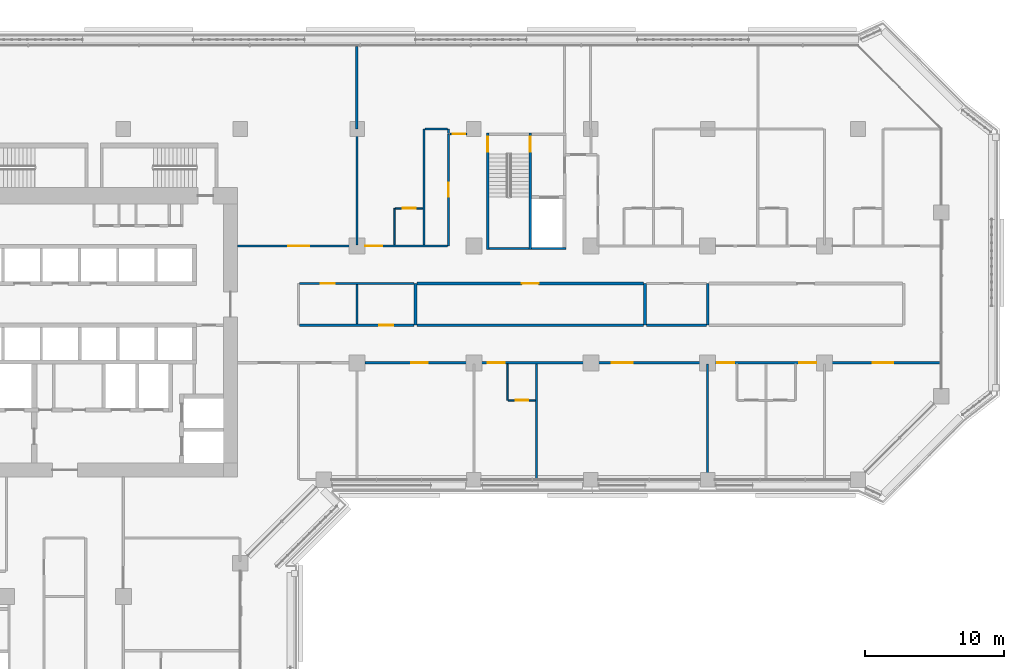
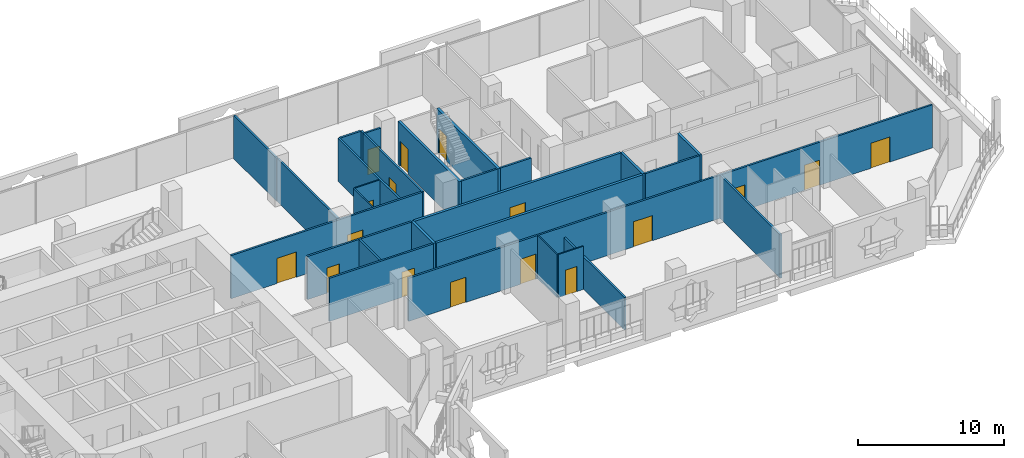
# One storey, part 15 of 25: 28 walls, 17 doors, 17 openings.
"""IFC4 building model written with IfcOpenShell, lengths in metres."""

from ifc_helpers import new_model, si_unit, direction, frame, frame_2d, origin, place, context, subcontext, project, spatial, rectangle, extrude, material, layer, layer_set, type_object, element, fill, save


model = new_model("IFC4")

# Units and contexts
model_context = context("Model", 3, precision=1e-05, world=origin(), true_north=direction((0.0, 1.0)))
body_context = subcontext(model_context, "Body", "Model", "MODEL_VIEW")
ifc_project = project(units=[si_unit("LENGTHUNIT", "METRE"), si_unit("AREAUNIT", "SQUARE_METRE"), si_unit("VOLUMEUNIT", "CUBIC_METRE"), si_unit("PLANEANGLEUNIT", "RADIAN"), si_unit("MASSUNIT", "GRAM", prefix="KILO")], contexts=[model_context])

# Site, building, storey
site_placement = place(None, origin())
site = spatial("IfcSite", under=ifc_project, at=site_placement, CompositionType="ELEMENT")
building_placement = place(site_placement, origin())
building = spatial("IfcBuilding", under=site, at=building_placement, Name="Kawkab Arch Medical Tower", CompositionType="ELEMENT")
storey_placement = place(building_placement, frame((0.0, 0.0, 128.199951171875)))
storey = spatial("IfcBuildingStorey", under=building, at=storey_placement, Name="L29", CompositionType="ELEMENT", Elevation=128.199951171875)

# Wall, opening, door
ifc_material_1 = material(Name="Gypsum board partition on steel studs", Category="steel")
ifc_layer_1 = layer(ifc_material_1, 0.10009765625)
ifc_layer_set_1 = layer_set([ifc_layer_1], Name="Gypsum board partition on steel studs")
wall_type_1 = type_object("IfcWallType", Name="Partition 100", PredefinedType="PARTITIONING", material=ifc_layer_set_1)
wall_1_placement = place(storey_placement, frame((44.449951171875, -19.5, 0.0), z_axis=(0.0, 0.0, 1.0), x_axis=(1.0, 0.0, 0.0)))
wall_1 = element("IfcWall", 1, at=wall_1_placement, inside=storey, type_object=wall_type_1, Name="Partition 100 w005", PredefinedType="PARTITIONING", context=body_context, shape_type="SweptSolid", body=[
    extrude(rectangle(XDim=1.97509765625, YDim=0.10009765625, at=frame_2d((0.987548828125, 0.0))), origin(), (0.0, 0.0, 1.0), 3.60009765625),
])
opening_1_placement = place(wall_1_placement, frame((0.550048828125, 0.0, 0.0)))
opening_1 = element("IfcOpeningElement", 2, at=opening_1_placement, cuts=wall_1, Name="Opening W29-015", PredefinedType="OPENING", context=body_context, shape_type="SweptSolid", body=[
    extrude(rectangle(XDim=0.89990234375, YDim=2.10009765625, at=frame_2d((0.449951171875, 1.050048828125))), frame((0.0, 0.06005859375, 0.0), z_axis=(0.0, -1.0, 0.0), x_axis=(1.0, 0.0, 0.0)), (0.0, 0.0, 1.0), 0.1201171875),
])
ifc_material_2 = material(Name="Timber door leaf", Category="wood")
door_type_1 = type_object("IfcDoorType", Name="Single door 900x2100", OperationType="NOTDEFINED", PredefinedType="DOOR", material=ifc_material_2)
door_1_placement = place(opening_1_placement, origin())
door_1 = element("IfcDoor", 3, at=door_1_placement, inside=storey, type_object=door_type_1, Name="Door W29-015", OperationType="SINGLE_SWING_RIGHT", OverallHeight=2.10009765625, OverallWidth=0.89990234375, PredefinedType="DOOR", context=body_context, shape_type="SweptSolid", body=[
    extrude(rectangle(XDim=0.89990234375, YDim=2.10009765625, at=frame_2d((0.449951171875, 1.050048828125))), frame((0.0, 0.02490234375, 0.0), z_axis=(0.0, -1.0, 0.0), x_axis=(1.0, 0.0, 0.0)), (0.0, 0.0, 1.0), 0.050048828125),
])
fill(opening_1, door_1)

wall_2_placement = place(storey_placement, frame((36.35205078125, -5.699951171875, 0.0), z_axis=(0.0, 0.0, 1.0), x_axis=(1.0, 0.0, 0.0)))
wall_2 = element("IfcWall", 4, at=wall_2_placement, inside=storey, type_object=wall_type_1, Name="Partition 100 w007", PredefinedType="PARTITIONING", context=body_context, shape_type="SweptSolid", body=[
    extrude(rectangle(XDim=1.972900390625, YDim=0.10009765625, at=frame_2d((0.986328125, 0.0))), origin(), (0.0, 0.0, 1.0), 3.60009765625),
])
opening_2_placement = place(wall_2_placement, frame((0.549072265625, 0.0, 0.0)))
opening_2 = element("IfcOpeningElement", 5, at=opening_2_placement, cuts=wall_2, Name="Opening W29-009", PredefinedType="OPENING", context=body_context, shape_type="SweptSolid", body=[
    extrude(rectangle(XDim=0.89990234375, YDim=2.10009765625, at=frame_2d((0.449951171875, 1.050048828125))), frame((0.0, 0.06005859375, 0.0), z_axis=(0.0, -1.0, 0.0), x_axis=(1.0, 0.0, 0.0)), (0.0, 0.0, 1.0), 0.1201171875),
])
door_2_placement = place(opening_2_placement, origin())
door_2 = element("IfcDoor", 6, at=door_2_placement, inside=storey, type_object=door_type_1, Name="Door W29-009", OperationType="SINGLE_SWING_LEFT", OverallHeight=2.10009765625, OverallWidth=0.89990234375, PredefinedType="DOOR", context=body_context, shape_type="SweptSolid", body=[
    extrude(rectangle(XDim=0.89990234375, YDim=2.10009765625, at=frame_2d((0.449951171875, 1.050048828125))), frame((0.0, 0.02490234375, 0.0), z_axis=(0.0, -1.0, 0.0), x_axis=(1.0, 0.0, 0.0)), (0.0, 0.0, 1.0), 0.050048828125),
])
fill(opening_2, door_2)

# Walls
wall_3_placement = place(storey_placement, frame((36.300048828125, -8.324951171875, 0.0), z_axis=(0.0, 0.0, 1.0), x_axis=(0.0, 1.0, 0.0)))
element("IfcWall", 7, at=wall_3_placement, inside=storey, type_object=wall_type_1, Name="Partition 100 w014", PredefinedType="PARTITIONING", context=body_context, shape_type="SweptSolid", body=[
    extrude(rectangle(XDim=2.6240234375, YDim=0.10009765625, at=frame_2d((1.31201171875, 0.0))), origin(), (0.0, 0.0, 1.0), 3.60009765625),
])
wall_4_placement = place(storey_placement, frame((44.39990234375, -19.5, 0.0), z_axis=(0.0, 0.0, 1.0), x_axis=(0.0, 1.0, 0.0)))
element("IfcWall", 8, at=wall_4_placement, inside=storey, type_object=wall_type_1, Name="Partition 100 w015", PredefinedType="PARTITIONING", context=body_context, shape_type="SweptSolid", body=[
    extrude(rectangle(XDim=2.625, YDim=0.10009765625, at=frame_2d((1.3125, 0.0))), origin(), (0.0, 0.0, 1.0), 3.60009765625),
])

# Wall, openings, doors
ifc_material_3 = material(Name="Gypsum board partition on steel studs, mineral wool", Category="steel")
ifc_layer_2 = layer(ifc_material_3, 0.14990234375)
ifc_layer_set_2 = layer_set([ifc_layer_2], Name="Gypsum board partition on steel studs, mineral wool")
wall_type_2 = type_object("IfcWallType", Name="Partition 150", PredefinedType="PARTITIONING", material=ifc_layer_set_2)
wall_5_placement = place(storey_placement, frame((34.175048828125, -16.800048828125, 0.0), z_axis=(0.0, 0.0, 1.0), x_axis=(1.0, 0.0, 0.0)))
wall_5 = element("IfcWall", 9, at=wall_5_placement, inside=storey, type_object=wall_type_2, Name="Partition 150 w037", PredefinedType="PARTITIONING", context=body_context, shape_type="SweptSolid", body=[
    extrude(rectangle(XDim=41.344970703125, YDim=0.14990234375, at=frame_2d((20.67236328125, 0.0))), origin(), (0.0, 0.0, 1.0), 3.60009765625),
])
opening_3_placement = place(wall_5_placement, frame((3.31201171875, 0.0, 0.0)))
opening_3 = element("IfcOpeningElement", 10, at=opening_3_placement, cuts=wall_5, Name="Opening W29-040", PredefinedType="OPENING", context=body_context, shape_type="SweptSolid", body=[
    extrude(rectangle(XDim=1.199951171875, YDim=2.10009765625, at=frame_2d((0.60009765625, 1.050048828125))), frame((0.0, 0.0849609375, 0.0), z_axis=(0.0, -1.0, 0.0), x_axis=(1.0, 0.0, 0.0)), (0.0, 0.0, 1.0), 0.169921875),
])
opening_4_placement = place(wall_5_placement, frame((8.824951171875, 0.0, 0.0)))
opening_4 = element("IfcOpeningElement", 11, at=opening_4_placement, cuts=wall_5, Name="Opening W29-041", PredefinedType="OPENING", context=body_context, shape_type="SweptSolid", body=[
    extrude(rectangle(XDim=1.199951171875, YDim=2.10009765625, at=frame_2d((0.60009765625, 1.050048828125))), frame((0.0, 0.0849609375, 0.0), z_axis=(0.0, -1.0, 0.0), x_axis=(1.0, 0.0, 0.0)), (0.0, 0.0, 1.0), 0.169921875),
])
opening_5_placement = place(wall_5_placement, frame((17.72509765625, 0.0, 0.0)))
opening_5 = element("IfcOpeningElement", 12, at=opening_5_placement, cuts=wall_5, Name="Opening W29-003", PredefinedType="OPENING", context=body_context, shape_type="SweptSolid", body=[
    extrude(rectangle(XDim=1.5, YDim=2.10009765625, at=frame_2d((0.75, 1.050048828125))), frame((0.0, 0.0849609375, 0.0), z_axis=(0.0, -1.0, 0.0), x_axis=(1.0, 0.0, 0.0)), (0.0, 0.0, 1.0), 0.169921875),
])
opening_6_placement = place(wall_5_placement, frame((25.324951171875, 0.0, 0.0)))
opening_6 = element("IfcOpeningElement", 13, at=opening_6_placement, cuts=wall_5, Name="Opening W29-042", PredefinedType="OPENING", context=body_context, shape_type="SweptSolid", body=[
    extrude(rectangle(XDim=1.199951171875, YDim=2.10009765625, at=frame_2d((0.60009765625, 1.050048828125))), frame((0.0, 0.0849609375, 0.0), z_axis=(0.0, -1.0, 0.0), x_axis=(1.0, 0.0, 0.0)), (0.0, 0.0, 1.0), 0.169921875),
])
opening_7_placement = place(wall_5_placement, frame((31.22509765625, 0.0, 0.0)))
opening_7 = element("IfcOpeningElement", 14, at=opening_7_placement, cuts=wall_5, Name="Opening W29-043", PredefinedType="OPENING", context=body_context, shape_type="SweptSolid", body=[
    extrude(rectangle(XDim=1.199951171875, YDim=2.10009765625, at=frame_2d((0.60009765625, 1.050048828125))), frame((0.0, 0.0849609375, 0.0), z_axis=(0.0, -1.0, 0.0), x_axis=(1.0, 0.0, 0.0)), (0.0, 0.0, 1.0), 0.169921875),
])
opening_8_placement = place(wall_5_placement, frame((36.47509765625, 0.0, 0.0)))
opening_8 = element("IfcOpeningElement", 15, at=opening_8_placement, cuts=wall_5, Name="Opening W29-004", PredefinedType="OPENING", context=body_context, shape_type="SweptSolid", body=[
    extrude(rectangle(XDim=1.5, YDim=2.10009765625, at=frame_2d((0.75, 1.050048828125))), frame((0.0, 0.0849609375, 0.0), z_axis=(0.0, -1.0, 0.0), x_axis=(1.0, 0.0, 0.0)), (0.0, 0.0, 1.0), 0.169921875),
])
ifc_material_4 = material(Name="Hollow metal door leaf")
door_type_2 = type_object("IfcDoorType", Name="Double door 1500x2100 FD30S", OperationType="NOTDEFINED", PredefinedType="DOOR", material=ifc_material_4)
door_3_placement = place(opening_5_placement, origin())
door_3 = element("IfcDoor", 16, at=door_3_placement, inside=storey, type_object=door_type_2, Name="Door W29-003", OperationType="DOUBLE_DOOR_SINGLE_SWING", OverallHeight=2.10009765625, OverallWidth=1.5, PredefinedType="DOOR", context=body_context, shape_type="SweptSolid", body=[
    extrude(rectangle(XDim=1.5, YDim=2.10009765625, at=frame_2d((0.75, 1.050048828125))), frame((0.0, 0.02490234375, 0.0), z_axis=(0.0, -1.0, 0.0), x_axis=(1.0, 0.0, 0.0)), (0.0, 0.0, 1.0), 0.050048828125),
])
fill(opening_5, door_3)
door_4_placement = place(opening_8_placement, origin())
door_4 = element("IfcDoor", 17, at=door_4_placement, inside=storey, type_object=door_type_2, Name="Door W29-004", OperationType="DOUBLE_DOOR_SINGLE_SWING", OverallHeight=2.10009765625, OverallWidth=1.5, PredefinedType="DOOR", context=body_context, shape_type="SweptSolid", body=[
    extrude(rectangle(XDim=1.5, YDim=2.10009765625, at=frame_2d((0.75, 1.050048828125))), frame((0.0, 0.02490234375, 0.0), z_axis=(0.0, -1.0, 0.0), x_axis=(1.0, 0.0, 0.0)), (0.0, 0.0, 1.0), 0.050048828125),
])
fill(opening_8, door_4)
ifc_material_5 = material(Name="Hollow metal door leaf")
door_type_3 = type_object("IfcDoorType", Name="Single door 1200x2100 FD30S", OperationType="NOTDEFINED", PredefinedType="DOOR", material=ifc_material_5)
door_5_placement = place(opening_3_placement, origin())
door_5 = element("IfcDoor", 18, at=door_5_placement, inside=storey, type_object=door_type_3, Name="Door W29-040", OperationType="SINGLE_SWING_RIGHT", OverallHeight=2.10009765625, OverallWidth=1.199951171875, PredefinedType="DOOR", context=body_context, shape_type="SweptSolid", body=[
    extrude(rectangle(XDim=1.199951171875, YDim=2.10009765625, at=frame_2d((0.60009765625, 1.050048828125))), frame((0.0, 0.02490234375, 0.0), z_axis=(0.0, -1.0, 0.0), x_axis=(1.0, 0.0, 0.0)), (0.0, 0.0, 1.0), 0.050048828125),
])
fill(opening_3, door_5)
door_6_placement = place(opening_4_placement, origin())
door_6 = element("IfcDoor", 19, at=door_6_placement, inside=storey, type_object=door_type_3, Name="Door W29-041", OperationType="SINGLE_SWING_RIGHT", OverallHeight=2.10009765625, OverallWidth=1.199951171875, PredefinedType="DOOR", context=body_context, shape_type="SweptSolid", body=[
    extrude(rectangle(XDim=1.199951171875, YDim=2.10009765625, at=frame_2d((0.60009765625, 1.050048828125))), frame((0.0, 0.02490234375, 0.0), z_axis=(0.0, -1.0, 0.0), x_axis=(1.0, 0.0, 0.0)), (0.0, 0.0, 1.0), 0.050048828125),
])
fill(opening_4, door_6)
door_7_placement = place(opening_6_placement, origin())
door_7 = element("IfcDoor", 20, at=door_7_placement, inside=storey, type_object=door_type_3, Name="Door W29-042", OperationType="SINGLE_SWING_LEFT", OverallHeight=2.10009765625, OverallWidth=1.199951171875, PredefinedType="DOOR", context=body_context, shape_type="SweptSolid", body=[
    extrude(rectangle(XDim=1.199951171875, YDim=2.10009765625, at=frame_2d((0.60009765625, 1.050048828125))), frame((0.0, 0.02490234375, 0.0), z_axis=(0.0, -1.0, 0.0), x_axis=(1.0, 0.0, 0.0)), (0.0, 0.0, 1.0), 0.050048828125),
])
fill(opening_6, door_7)
door_8_placement = place(opening_7_placement, origin())
door_8 = element("IfcDoor", 21, at=door_8_placement, inside=storey, type_object=door_type_3, Name="Door W29-043", OperationType="SINGLE_SWING_LEFT", OverallHeight=2.10009765625, OverallWidth=1.199951171875, PredefinedType="DOOR", context=body_context, shape_type="SweptSolid", body=[
    extrude(rectangle(XDim=1.199951171875, YDim=2.10009765625, at=frame_2d((0.60009765625, 1.050048828125))), frame((0.0, 0.02490234375, 0.0), z_axis=(0.0, -1.0, 0.0), x_axis=(1.0, 0.0, 0.0)), (0.0, 0.0, 1.0), 0.050048828125),
])
fill(opening_7, door_8)

# Wall, opening, door
wall_6_placement = place(storey_placement, frame((29.47509765625, -14.10009765625, 0.0), z_axis=(0.0, 0.0, 1.0), x_axis=(1.0, 0.0, 0.0)))
wall_6 = element("IfcWall", 22, at=wall_6_placement, inside=storey, type_object=wall_type_2, Name="Partition 150 w038", PredefinedType="PARTITIONING", context=body_context, shape_type="SweptSolid", body=[
    extrude(rectangle(XDim=8.224853515625, YDim=0.14990234375, at=frame_2d((4.1123046875, 0.0))), origin(), (0.0, 0.0, 1.0), 3.60009765625),
])
opening_9_placement = place(wall_6_placement, frame((5.72509765625, 0.0, 0.0)))
opening_9 = element("IfcOpeningElement", 23, at=opening_9_placement, cuts=wall_6, Name="Opening W29-030", PredefinedType="OPENING", context=body_context, shape_type="SweptSolid", body=[
    extrude(rectangle(XDim=1.0, YDim=2.10009765625, at=frame_2d((0.5, 1.050048828125))), frame((0.0, 0.0849609375, 0.0), z_axis=(0.0, -1.0, 0.0), x_axis=(1.0, 0.0, 0.0)), (0.0, 0.0, 1.0), 0.169921875),
])
ifc_material_6 = material(Name="Hollow metal door leaf")
door_type_4 = type_object("IfcDoorType", Name="Single door 1000x2100 FD30S", OperationType="NOTDEFINED", PredefinedType="DOOR", material=ifc_material_6)
door_9_placement = place(opening_9_placement, origin())
door_9 = element("IfcDoor", 24, at=door_9_placement, inside=storey, type_object=door_type_4, Name="Door W29-030", OperationType="SINGLE_SWING_RIGHT", OverallHeight=2.10009765625, OverallWidth=1.0, PredefinedType="DOOR", context=body_context, shape_type="SweptSolid", body=[
    extrude(rectangle(XDim=1.0, YDim=2.10009765625, at=frame_2d((0.5, 1.050048828125))), frame((0.0, 0.02490234375, 0.0), z_axis=(0.0, -1.0, 0.0), x_axis=(1.0, 0.0, 0.0)), (0.0, 0.0, 1.0), 0.050048828125),
])
fill(opening_9, door_9)

# Wall
wall_7_placement = place(storey_placement, frame((54.39990234375, -14.10009765625, 0.0), z_axis=(0.0, 0.0, 1.0), x_axis=(1.0, 0.0, 0.0)))
element("IfcWall", 25, at=wall_7_placement, inside=storey, type_object=wall_type_2, Name="Partition 150 w039", PredefinedType="PARTITIONING", context=body_context, shape_type="SweptSolid", body=[
    extrude(rectangle(XDim=4.300048828125, YDim=0.14990234375, at=frame_2d((2.14990234375, 0.0))), origin(), (0.0, 0.0, 1.0), 3.60009765625),
])

# Wall, opening, door
wall_8_placement = place(storey_placement, frame((29.47509765625, -11.10009765625, 0.0), z_axis=(0.0, 0.0, 1.0), x_axis=(1.0, 0.0, 0.0)))
wall_8 = element("IfcWall", 26, at=wall_8_placement, inside=storey, type_object=wall_type_2, Name="Partition 150 w040", PredefinedType="PARTITIONING", context=body_context, shape_type="SweptSolid", body=[
    extrude(rectangle(XDim=8.224853515625, YDim=0.14990234375, at=frame_2d((4.1123046875, 0.0))), origin(), (0.0, 0.0, 1.0), 3.60009765625),
])
opening_10_placement = place(wall_8_placement, frame((1.52490234375, 0.0, 0.0)))
opening_10 = element("IfcOpeningElement", 27, at=opening_10_placement, cuts=wall_8, Name="Opening W29-029", PredefinedType="OPENING", context=body_context, shape_type="SweptSolid", body=[
    extrude(rectangle(XDim=1.0, YDim=2.10009765625, at=frame_2d((0.5, 1.050048828125))), frame((0.0, 0.0849609375, 0.0), z_axis=(0.0, -1.0, 0.0), x_axis=(1.0, 0.0, 0.0)), (0.0, 0.0, 1.0), 0.169921875),
])
door_10_placement = place(opening_10_placement, origin())
door_10 = element("IfcDoor", 28, at=door_10_placement, inside=storey, type_object=door_type_4, Name="Door W29-029", OperationType="SINGLE_SWING_RIGHT", OverallHeight=2.10009765625, OverallWidth=1.0, PredefinedType="DOOR", context=body_context, shape_type="SweptSolid", body=[
    extrude(rectangle(XDim=1.0, YDim=2.10009765625, at=frame_2d((0.5, 1.050048828125))), frame((0.0, 0.02490234375, 0.0), z_axis=(0.0, -1.0, 0.0), x_axis=(1.0, 0.0, 0.0)), (0.0, 0.0, 1.0), 0.050048828125),
])
fill(opening_10, door_10)

# Wall, openings, doors
wall_9_placement = place(storey_placement, frame((25.0, -8.39990234375, 0.0), z_axis=(0.0, 0.0, 1.0), x_axis=(1.0, 0.0, 0.0)))
wall_9 = element("IfcWall", 29, at=wall_9_placement, inside=storey, type_object=wall_type_2, Name="Partition 150 w042", PredefinedType="PARTITIONING", context=body_context, shape_type="SweptSolid", body=[
    extrude(rectangle(XDim=15.10693359375, YDim=0.14990234375, at=frame_2d((7.553466796875, 0.0))), origin(), (0.0, 0.0, 1.0), 3.60009765625),
])
opening_11_placement = place(wall_9_placement, frame((3.64990234375, 0.0, 0.0)))
opening_11 = element("IfcOpeningElement", 30, at=opening_11_placement, cuts=wall_9, Name="Opening W29-002", PredefinedType="OPENING", context=body_context, shape_type="SweptSolid", body=[
    extrude(rectangle(XDim=1.5, YDim=2.10009765625, at=frame_2d((0.75, 1.050048828125))), frame((0.0, 0.0849609375, 0.0), z_axis=(0.0, -1.0, 0.0), x_axis=(1.0, 0.0, 0.0)), (0.0, 0.0, 1.0), 0.169921875),
])
opening_12_placement = place(wall_9_placement, frame((9.199951171875, 0.0, 0.0)))
opening_12 = element("IfcOpeningElement", 31, at=opening_12_placement, cuts=wall_9, Name="Opening W29-033", PredefinedType="OPENING", context=body_context, shape_type="SweptSolid", body=[
    extrude(rectangle(XDim=1.199951171875, YDim=2.10009765625, at=frame_2d((0.60009765625, 1.050048828125))), frame((0.0, 0.0849609375, 0.0), z_axis=(0.0, -1.0, 0.0), x_axis=(1.0, 0.0, 0.0)), (0.0, 0.0, 1.0), 0.169921875),
])
door_11_placement = place(opening_11_placement, origin())
door_11 = element("IfcDoor", 32, at=door_11_placement, inside=storey, type_object=door_type_2, Name="Door W29-002", OperationType="DOUBLE_DOOR_SINGLE_SWING", OverallHeight=2.10009765625, OverallWidth=1.5, PredefinedType="DOOR", context=body_context, shape_type="SweptSolid", body=[
    extrude(rectangle(XDim=1.5, YDim=2.10009765625, at=frame_2d((0.75, 1.050048828125))), frame((0.0, 0.02490234375, 0.0), z_axis=(0.0, -1.0, 0.0), x_axis=(1.0, 0.0, 0.0)), (0.0, 0.0, 1.0), 0.050048828125),
])
fill(opening_11, door_11)
door_12_placement = place(opening_12_placement, origin())
door_12 = element("IfcDoor", 33, at=door_12_placement, inside=storey, type_object=door_type_3, Name="Door W29-033", OperationType="SINGLE_SWING_RIGHT", OverallHeight=2.10009765625, OverallWidth=1.199951171875, PredefinedType="DOOR", context=body_context, shape_type="SweptSolid", body=[
    extrude(rectangle(XDim=1.199951171875, YDim=2.10009765625, at=frame_2d((0.60009765625, 1.050048828125))), frame((0.0, 0.02490234375, 0.0), z_axis=(0.0, -1.0, 0.0), x_axis=(1.0, 0.0, 0.0)), (0.0, 0.0, 1.0), 0.050048828125),
])
fill(opening_12, door_12)

# Wall, opening, door
wall_10_placement = place(storey_placement, frame((40.277099609375, -0.35009765625, 0.0), z_axis=(0.0, 0.0, 1.0), x_axis=(1.0, 0.0, 0.0)))
wall_10 = element("IfcWall", 34, at=wall_10_placement, inside=storey, type_object=wall_type_2, Name="Partition 150 w046", PredefinedType="PARTITIONING", context=body_context, shape_type="SweptSolid", body=[
    extrude(rectangle(XDim=1.2109375, YDim=0.14990234375, at=frame_2d((0.60546875, 0.0))), origin(), (0.0, 0.0, 1.0), 3.60009765625),
])
opening_13_placement = place(wall_10_placement, frame((0.20703125, 0.0, 0.0)))
opening_13 = element("IfcOpeningElement", 35, at=opening_13_placement, cuts=wall_10, Name="Opening W29-023", PredefinedType="OPENING", context=body_context, shape_type="SweptSolid", body=[
    extrude(rectangle(XDim=0.89990234375, YDim=2.10009765625, at=frame_2d((0.449951171875, 1.050048828125))), frame((0.0, 0.0849609375, 0.0), z_axis=(0.0, -1.0, 0.0), x_axis=(1.0, 0.0, 0.0)), (0.0, 0.0, 1.0), 0.169921875),
])
ifc_material_7 = material(Name="Hollow metal door leaf")
door_type_5 = type_object("IfcDoorType", Name="Single door 900x2100 FD30S", OperationType="NOTDEFINED", PredefinedType="DOOR", material=ifc_material_7)
door_13_placement = place(opening_13_placement, origin())
door_13 = element("IfcDoor", 36, at=door_13_placement, inside=storey, type_object=door_type_5, Name="Door W29-023", OperationType="SINGLE_SWING_RIGHT", OverallHeight=2.10009765625, OverallWidth=0.89990234375, PredefinedType="DOOR", context=body_context, shape_type="SweptSolid", body=[
    extrude(rectangle(XDim=0.89990234375, YDim=2.10009765625, at=frame_2d((0.449951171875, 1.050048828125))), frame((0.0, 0.02490234375, 0.0), z_axis=(0.0, -1.0, 0.0), x_axis=(1.0, 0.0, 0.0)), (0.0, 0.0, 1.0), 0.050048828125),
])
fill(opening_13, door_13)

# Walls
wall_11_placement = place(storey_placement, frame((38.47802734375, 0.0, 0.0), z_axis=(0.0, 0.0, 1.0), x_axis=(1.0, 0.0, 0.0)))
element("IfcWall", 37, at=wall_11_placement, inside=storey, type_object=wall_type_2, Name="Partition 150 w047", PredefinedType="PARTITIONING", context=body_context, shape_type="SweptSolid", body=[
    extrude(rectangle(XDim=1.6259765625, YDim=0.14990234375, at=frame_2d((0.81298828125, 0.0))), origin(), (0.0, 0.0, 1.0), 3.60009765625),
])
wall_12_placement = place(storey_placement, frame((33.580078125, 0.02001953125, 0.0), z_axis=(0.0, 0.0, 1.0), x_axis=(0.0, 1.0, 0.0)))
element("IfcWall", 38, at=wall_12_placement, inside=storey, type_object=wall_type_2, Name="Partition 150 w061", PredefinedType="PARTITIONING", context=body_context, shape_type="SweptSolid", body=[
    extrude(rectangle(XDim=5.89990234375, YDim=0.14990234375, at=frame_2d((2.949951171875, 0.0))), origin(), (0.0, 0.0, 1.0), 3.60009765625),
])
wall_13_placement = place(storey_placement, frame((33.60009765625, -14.02490234375, 0.0), z_axis=(0.0, 0.0, 1.0), x_axis=(0.0, 1.0, 0.0)))
element("IfcWall", 39, at=wall_13_placement, inside=storey, type_object=wall_type_2, Name="Partition 150 w063", PredefinedType="PARTITIONING", context=body_context, shape_type="SweptSolid", body=[
    extrude(rectangle(XDim=2.849853515625, YDim=0.14990234375, at=frame_2d((1.4248046875, 0.0))), origin(), (0.0, 0.0, 1.0), 3.60009765625),
])
for number, where, z_axis, x_axis, name in (
    (40, (33.60009765625, -8.324951171875, 0.0), (0.0, 0.0, 1.0), (0.0, 1.0, 0.0), "Partition 150 w064"),
    (41, (38.39990234375, -8.324951171875, 0.0), (0.0, 0.0, 1.0), (0.0, 1.0, 0.0), "Partition 150 w065"),
):
    element("IfcWall", number, at=place(storey_placement, frame(where, z_axis=z_axis, x_axis=x_axis)), inside=storey, type_object=wall_type_2, Name=name, PredefinedType="PARTITIONING", context=body_context, shape_type="SweptSolid", body=[
        extrude(rectangle(XDim=8.322021484375, YDim=0.14990234375, at=frame_2d((4.1611328125, 0.0))), origin(), (0.0, 0.0, 1.0), 3.60009765625),
    ])

# Wall, opening, door
wall_14_placement = place(storey_placement, frame((40.181884765625, -8.39990234375, 0.0), z_axis=(0.0, 0.0, 1.0), x_axis=(0.0, 1.0, 0.0)))
wall_14 = element("IfcWall", 42, at=wall_14_placement, inside=storey, type_object=wall_type_2, Name="Partition 150 w066", PredefinedType="PARTITIONING", context=body_context, shape_type="SweptSolid", body=[
    extrude(rectangle(XDim=8.0498046875, YDim=0.14990234375, at=frame_2d((4.02490234375, 0.0))), origin(), (0.0, 0.0, 1.0), 3.60009765625),
])
opening_14_placement = place(wall_14_placement, frame((3.52490234375, 0.0, 0.0)))
opening_14 = element("IfcOpeningElement", 43, at=opening_14_placement, cuts=wall_14, Name="Opening W29-026", PredefinedType="OPENING", context=body_context, shape_type="SweptSolid", body=[
    extrude(rectangle(XDim=1.0, YDim=2.10009765625, at=frame_2d((0.5, 1.050048828125))), frame((0.0, 0.0849609375, 0.0), z_axis=(0.0, -1.0, 0.0), x_axis=(1.0, 0.0, 0.0)), (0.0, 0.0, 1.0), 0.169921875),
])
door_14_placement = place(opening_14_placement, origin())
door_14 = element("IfcDoor", 44, at=door_14_placement, inside=storey, type_object=door_type_4, Name="Door W29-026", OperationType="SINGLE_SWING_RIGHT", OverallHeight=2.10009765625, OverallWidth=1.0, PredefinedType="DOOR", context=body_context, shape_type="SweptSolid", body=[
    extrude(rectangle(XDim=1.0, YDim=2.10009765625, at=frame_2d((0.5, 1.050048828125))), frame((0.0, 0.02490234375, 0.0), z_axis=(0.0, -1.0, 0.0), x_axis=(1.0, 0.0, 0.0)), (0.0, 0.0, 1.0), 0.050048828125),
])
fill(opening_14, door_14)

# Walls
wall_15_placement = place(storey_placement, frame((40.181884765625, -0.330078125, 0.0), z_axis=(0.0, 0.0, 1.0), x_axis=(0.0, 1.0, 0.0)))
element("IfcWall", 45, at=wall_15_placement, inside=storey, type_object=wall_type_2, Name="Partition 150 w067", PredefinedType="PARTITIONING", context=body_context, shape_type="SweptSolid", body=[
    extrude(rectangle(XDim=0.3271484375, YDim=0.14990234375, at=frame_2d((0.16357421875, 0.0))), origin(), (0.0, 0.0, 1.0), 3.60009765625),
])
wall_16_placement = place(storey_placement, frame((46.5, -25.1201171875, 0.0), z_axis=(0.0, 0.0, 1.0), x_axis=(0.0, 1.0, 0.0)))
element("IfcWall", 46, at=wall_16_placement, inside=storey, type_object=wall_type_2, Name="Partition 150 w069", PredefinedType="PARTITIONING", context=body_context, shape_type="SweptSolid", body=[
    extrude(rectangle(XDim=8.2451171875, YDim=0.14990234375, at=frame_2d((4.12255859375, 0.0))), origin(), (0.0, 0.0, 1.0), 2.699951171875),
])
wall_17_placement = place(storey_placement, frame((58.800048828125, -25.1201171875, 0.0), z_axis=(0.0, 0.0, 1.0), x_axis=(0.0, 1.0, 0.0)))
element("IfcWall", 47, at=wall_17_placement, inside=storey, type_object=wall_type_2, Name="Partition 150 w075", PredefinedType="PARTITIONING", context=body_context, shape_type="SweptSolid", body=[
    extrude(rectangle(XDim=8.2451171875, YDim=0.14990234375, at=frame_2d((4.12255859375, 0.0))), origin(), (0.0, 0.0, 1.0), 3.60009765625),
])
ifc_material_8 = material(Name="Fire-rated gypsum board partition on steel studs", Category="steel")
ifc_layer_3 = layer(ifc_material_8, 0.199951171875)
ifc_layer_set_3 = layer_set([ifc_layer_3], Name="Fire-rated gypsum board partition on steel studs")
wall_type_3 = type_object("IfcWallType", Name="Protected partition 200", PredefinedType="PARTITIONING", material=ifc_layer_set_3)
wall_18_placement = place(storey_placement, frame((37.89990234375, -14.10009765625, 0.0), z_axis=(0.0, 0.0, 1.0), x_axis=(1.0, 0.0, 0.0)))
element("IfcWall", 48, at=wall_18_placement, inside=storey, type_object=wall_type_3, Name="Protected partition 200 w084", PredefinedType="PARTITIONING", context=body_context, shape_type="SweptSolid", body=[
    extrude(rectangle(XDim=16.300048828125, YDim=0.199951171875, at=frame_2d((8.14990234375, 0.0))), origin(), (0.0, 0.0, 1.0), 3.60009765625),
])

# Wall, opening, door
wall_19_placement = place(storey_placement, frame((37.89990234375, -11.10009765625, 0.0), z_axis=(0.0, 0.0, 1.0), x_axis=(1.0, 0.0, 0.0)))
wall_19 = element("IfcWall", 49, at=wall_19_placement, inside=storey, type_object=wall_type_3, Name="Protected partition 200 w086", PredefinedType="PARTITIONING", context=body_context, shape_type="SweptSolid", body=[
    extrude(rectangle(XDim=16.300048828125, YDim=0.199951171875, at=frame_2d((8.14990234375, 0.0))), origin(), (0.0, 0.0, 1.0), 3.60009765625),
])
opening_15_placement = place(wall_19_placement, frame((7.550048828125, 0.0, 0.0)))
opening_15 = element("IfcOpeningElement", 50, at=opening_15_placement, cuts=wall_19, Name="Opening W29-048", PredefinedType="OPENING", context=body_context, shape_type="SweptSolid", body=[
    extrude(rectangle(XDim=1.199951171875, YDim=2.10009765625, at=frame_2d((0.60009765625, 1.050048828125))), frame((0.0, 0.10986328125, 0.0), z_axis=(0.0, -1.0, 0.0), x_axis=(1.0, 0.0, 0.0)), (0.0, 0.0, 1.0), 0.219970703125),
])
ifc_material_9 = material(Name="Hollow metal door leaf")
door_type_6 = type_object("IfcDoorType", Name="Single door 1200x2100 FD60", OperationType="NOTDEFINED", PredefinedType="DOOR", material=ifc_material_9)
door_15_placement = place(opening_15_placement, origin())
door_15 = element("IfcDoor", 51, at=door_15_placement, inside=storey, type_object=door_type_6, Name="Door W29-048", OperationType="SINGLE_SWING_RIGHT", OverallHeight=2.10009765625, OverallWidth=1.199951171875, PredefinedType="DOOR", context=body_context, shape_type="SweptSolid", body=[
    extrude(rectangle(XDim=1.199951171875, YDim=2.10009765625, at=frame_2d((0.60009765625, 1.050048828125))), frame((0.0, 0.02490234375, 0.0), z_axis=(0.0, -1.0, 0.0), x_axis=(1.0, 0.0, 0.0)), (0.0, 0.0, 1.0), 0.050048828125),
])
fill(opening_15, door_15)

# Walls
for number, where, z_axis, x_axis, name in (
    (52, (37.800048828125, -14.10009765625, 0.0), (0.0, 0.0, 1.0), (0.0, 1.0, 0.0), "Protected partition 200 w090"),
    (53, (54.300048828125, -14.10009765625, 0.0), (0.0, 0.0, 1.0), (0.0, 1.0, 0.0), "Protected partition 200 w091"),
    (54, (58.800048828125, -14.10009765625, 0.0), (0.0, 0.0, 1.0), (0.0, 1.0, 0.0), "Protected partition 200 w092"),
):
    element("IfcWall", number, at=place(storey_placement, frame(where, z_axis=z_axis, x_axis=x_axis)), inside=storey, type_object=wall_type_3, Name=name, PredefinedType="PARTITIONING", context=body_context, shape_type="SweptSolid", body=[
        extrude(rectangle(XDim=3.0, YDim=0.199951171875, at=frame_2d((1.5, 0.0))), origin(), (0.0, 0.0, 1.0), 3.60009765625),
    ])
ifc_material_10 = material(Name="Concrete C50/60", Category="concrete")
ifc_layer_4 = layer(ifc_material_10, 0.14990234375)
ifc_layer_set_4 = layer_set([ifc_layer_4], Name="Concrete C50/60")
wall_type_4 = type_object("IfcWallType", Name="Stair enclosure wall 150 C50/60", PredefinedType="SHEAR", material=ifc_layer_set_4)
wall_20_placement = place(storey_placement, frame((43.10009765625, -8.574951171875, 0.0), z_axis=(0.0, 0.0, 1.0), x_axis=(1.0, 0.0, 0.0)))
element("IfcWall", 55, at=wall_20_placement, inside=storey, type_object=wall_type_4, Name="L29 stair enclosure wall", PredefinedType="SHEAR", context=body_context, shape_type="SweptSolid", body=[
    extrude(rectangle(XDim=2.849853515625, YDim=0.14990234375, at=frame_2d((1.4248046875, 0.0))), origin(), (0.0, 0.0, 1.0), 3.60009765625),
])
wall_21_placement = place(storey_placement, frame((46.14990234375, -8.574951171875, 0.0), z_axis=(0.0, 0.0, 1.0), x_axis=(1.0, 0.0, 0.0)))
element("IfcWall", 56, at=wall_21_placement, inside=storey, type_object=wall_type_4, Name="L29 stair enclosure wall", PredefinedType="SHEAR", context=body_context, shape_type="SweptSolid", body=[
    extrude(rectangle(XDim=2.4501953125, YDim=0.14990234375, at=frame_2d((1.22509765625, 0.0))), origin(), (0.0, 0.0, 1.0), 3.60009765625),
])

# Wall, opening, door
ifc_material_11 = material(Name="Concrete C50/60", Category="concrete")
ifc_layer_5 = layer(ifc_material_11, 0.199951171875)
ifc_layer_set_5 = layer_set([ifc_layer_5], Name="Concrete C50/60")
wall_type_5 = type_object("IfcWallType", Name="Stair enclosure wall 200 C50/60", PredefinedType="SHEAR", material=ifc_layer_set_5)
wall_22_placement = place(storey_placement, frame((43.0, -8.64990234375, 0.0), z_axis=(0.0, 0.0, 1.0), x_axis=(0.0, 1.0, 0.0)))
wall_22 = element("IfcWall", 57, at=wall_22_placement, inside=storey, type_object=wall_type_5, Name="L29 stair enclosure wall", PredefinedType="SHEAR", context=body_context, shape_type="SweptSolid", body=[
    extrude(rectangle(XDim=8.349853515625, YDim=0.199951171875, at=frame_2d((4.1748046875, 0.0))), origin(), (0.0, 0.0, 1.0), 3.60009765625),
])
opening_16_placement = place(wall_22_placement, frame((7.0, 0.0, 0.0)))
opening_16 = element("IfcOpeningElement", 58, at=opening_16_placement, cuts=wall_22, Name="Opening SD", PredefinedType="OPENING", context=body_context, shape_type="SweptSolid", body=[
    extrude(rectangle(XDim=1.10009765625, YDim=2.10009765625, at=frame_2d((0.550048828125, 1.050048828125))), frame((0.0, 0.10986328125, 0.0), z_axis=(0.0, -1.0, 0.0), x_axis=(1.0, 0.0, 0.0)), (0.0, 0.0, 1.0), 0.219970703125),
])
ifc_material_12 = material(Name="Hollow metal fire door leaf")
door_type_7 = type_object("IfcDoorType", Name="Exit stair door 1100", OperationType="SINGLE_SWING_LEFT", PredefinedType="DOOR", material=ifc_material_12)
door_16_placement = place(opening_16_placement, frame((1.10009765625, 0.0, 0.0), z_axis=(0.0, 0.0, 1.0), x_axis=(-1.0, 0.0, 0.0)))
door_16 = element("IfcDoor", 59, at=door_16_placement, inside=storey, type_object=door_type_7, Name="L29 Exit stair ST5 door", OperationType="SINGLE_SWING_LEFT", OverallHeight=2.10009765625, OverallWidth=1.10009765625, PredefinedType="DOOR", context=body_context, shape_type="SweptSolid", body=[
    extrude(rectangle(XDim=1.10009765625, YDim=2.10009765625, at=frame_2d((0.550048828125, 1.050048828125))), frame((0.0, 0.02490234375, 0.0), z_axis=(0.0, -1.0, 0.0), x_axis=(1.0, 0.0, 0.0)), (0.0, 0.0, 1.0), 0.050048828125),
])
fill(opening_16, door_16)

wall_23_placement = place(storey_placement, frame((46.050048828125, -8.64990234375, 0.0), z_axis=(0.0, 0.0, 1.0), x_axis=(0.0, 1.0, 0.0)))
wall_23 = element("IfcWall", 60, at=wall_23_placement, inside=storey, type_object=wall_type_5, Name="L29 stair enclosure wall", PredefinedType="SHEAR", context=body_context, shape_type="SweptSolid", body=[
    extrude(rectangle(XDim=8.349853515625, YDim=0.199951171875, at=frame_2d((4.1748046875, 0.0))), origin(), (0.0, 0.0, 1.0), 3.60009765625),
])
opening_17_placement = place(wall_23_placement, frame((7.0, 0.0, 0.0)))
opening_17 = element("IfcOpeningElement", 61, at=opening_17_placement, cuts=wall_23, Name="Opening SD", PredefinedType="OPENING", context=body_context, shape_type="SweptSolid", body=[
    extrude(rectangle(XDim=1.10009765625, YDim=2.10009765625, at=frame_2d((0.550048828125, 1.050048828125))), frame((0.0, 0.10986328125, 0.0), z_axis=(0.0, -1.0, 0.0), x_axis=(1.0, 0.0, 0.0)), (0.0, 0.0, 1.0), 0.219970703125),
])
door_17_placement = place(opening_17_placement, origin())
door_17 = element("IfcDoor", 62, at=door_17_placement, inside=storey, type_object=door_type_7, Name="L29 Exit stair ST5 lobby door", OperationType="SINGLE_SWING_LEFT", OverallHeight=2.10009765625, OverallWidth=1.10009765625, PredefinedType="DOOR", context=body_context, shape_type="SweptSolid", body=[
    extrude(rectangle(XDim=1.10009765625, YDim=2.10009765625, at=frame_2d((0.550048828125, 1.050048828125))), frame((0.0, 0.02490234375, 0.0), z_axis=(0.0, -1.0, 0.0), x_axis=(1.0, 0.0, 0.0)), (0.0, 0.0, 1.0), 0.050048828125),
])
fill(opening_17, door_17)

save(model, "model.ifc")
